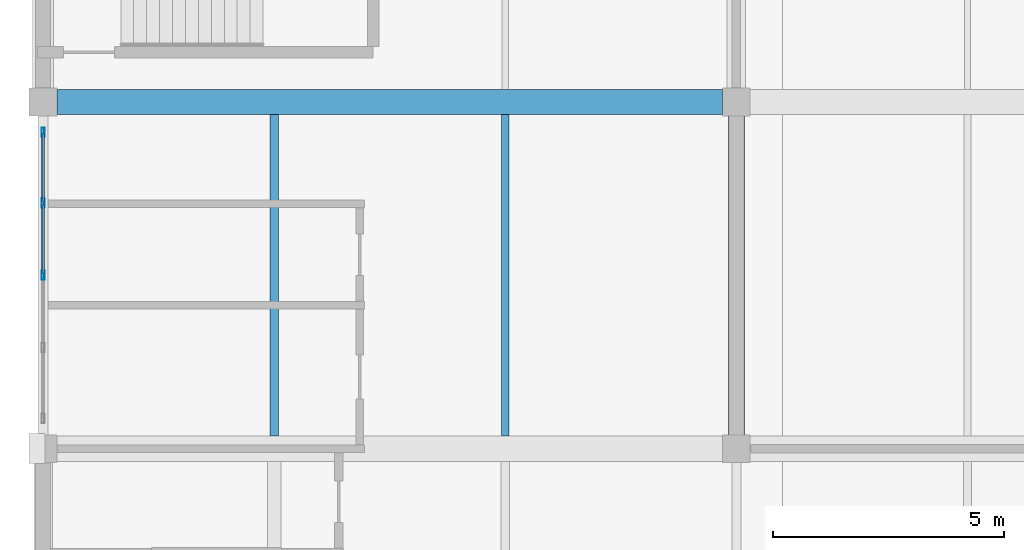
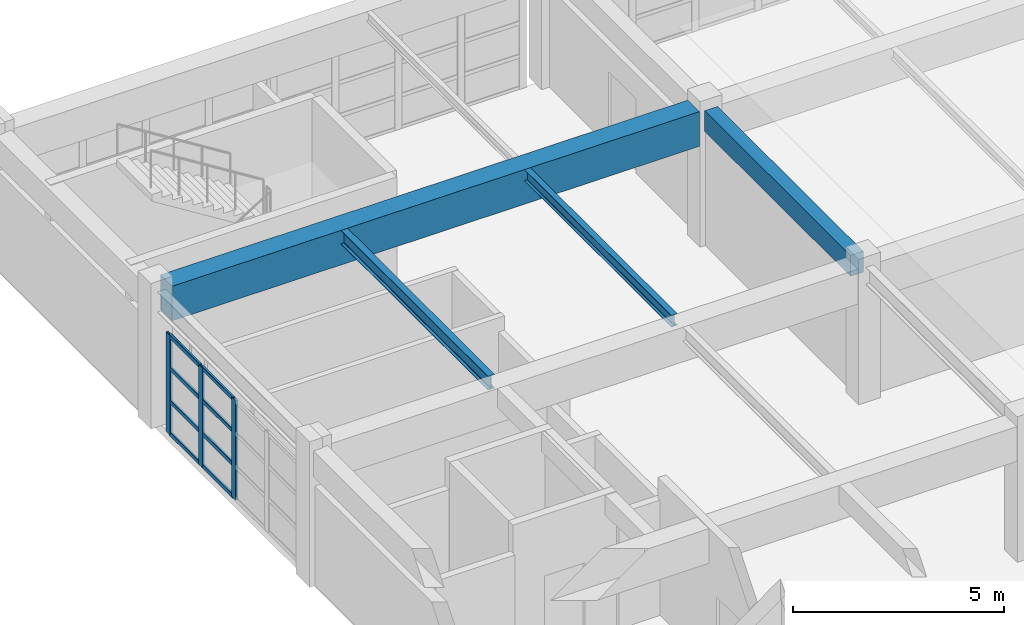
# One storey, part 17 of 124: 11 members, 4 beams, 1 element without a shape of its own.
"""IFC4 building model written with IfcOpenShell, lengths in metres."""

from ifc_helpers import new_model, si_unit, direction, frame, origin, origin_2d, place, context, subcontext, project, spatial, rectangle, hollow_rectangle, i_section, extrude, material, material_profile, profile_set, type_object, element, aggregate, save


model = new_model("IFC4")

# Units and contexts
model_context = context("Model", 3, precision=1e-05, world=origin(), true_north=direction((0.0, 1.0)))
body_context = subcontext(model_context, "Body", "Model", "MODEL_VIEW")
ifc_project = project(units=[si_unit("LENGTHUNIT", "METRE"), si_unit("AREAUNIT", "SQUARE_METRE"), si_unit("VOLUMEUNIT", "CUBIC_METRE"), si_unit("PLANEANGLEUNIT", "RADIAN"), si_unit("MASSUNIT", "GRAM", prefix="KILO")], contexts=[model_context])

# Site, building, storey
site_placement = place(None, origin())
site = spatial("IfcSite", under=ifc_project, at=site_placement, CompositionType="ELEMENT")
building_placement = place(site_placement, origin())
building = spatial("IfcBuilding", under=site, at=building_placement, Name="Qasida Concert Hall", CompositionType="ELEMENT")
storey_placement = place(building_placement, frame((0.0, 0.0, 9.0)))
storey = spatial("IfcBuildingStorey", under=building, at=storey_placement, Name="L02", CompositionType="ELEMENT", Elevation=9.0)

# Beams
ifc_material_1 = material(Name="Concrete C40/50", Category="concrete")
ifc_material_profile_1 = material_profile(ifc_material_1, rectangle(XDim=0.35009765625, YDim=0.60009765625, at=origin_2d()), Name="RC 350x600")
ifc_profile_set_1 = profile_set([ifc_material_profile_1], Name="Concrete C40/50")
beam_type_1 = type_object("IfcBeamType", Name="BM-B2", PredefinedType="BEAM", material=ifc_profile_set_1)
beam_1_placement = place(storey_placement, frame((15.0, 37.800048828125, 3.60009765625), z_axis=(0.0, 1.0, 0.0), x_axis=(-1.0, 0.0, 0.0)))
element("IfcBeam", 1, at=beam_1_placement, inside=storey, type_object=beam_type_1, Name="L02 girder 1305", PredefinedType="BEAM", context=body_context, shape_type="SweptSolid", body=[
    extrude(rectangle(XDim=0.35009765625, YDim=0.60009765625, at=origin_2d()), origin(), (0.0, 0.0, 1.0), 6.89990234375),
])
ifc_material_profile_2 = material_profile(ifc_material_1, rectangle(XDim=0.550048828125, YDim=1.0, at=origin_2d()), Name="RC 550x1000")
ifc_profile_set_2 = profile_set([ifc_material_profile_2], Name="Concrete C40/50")
beam_type_2 = type_object("IfcBeamType", Name="BM-G3", PredefinedType="USERDEFINED", material=ifc_profile_set_2)
beam_2_placement = place(storey_placement, frame((0.300048828125, 45.0, 3.39990234375), z_axis=(1.0, 0.0, 0.0), x_axis=(0.0, 1.0, 0.0)))
element("IfcBeam", 2, at=beam_2_placement, inside=storey, type_object=beam_type_2, Name="Primary girder 1287", ObjectType="GIRDER", PredefinedType="USERDEFINED", context=body_context, shape_type="SweptSolid", body=[
    extrude(rectangle(XDim=0.550048828125, YDim=1.0, at=origin_2d()), origin(), (0.0, 0.0, 1.0), 14.39990234375),
])
ifc_material_2 = material(Name="Steel S355J2", Category="steel")
ifc_material_profile_3 = material_profile(ifc_material_2, i_section(OverallWidth=0.179931640625, OverallDepth=0.39990234375, WebThickness=0.008544921875, FlangeThickness=0.013427734375, FilletRadius=0.02099609375, at=origin_2d()), Name="IPE 400")
ifc_profile_set_3 = profile_set([ifc_material_profile_3], Name="Steel S355J2")
beam_type_3 = type_object("IfcBeamType", Name="BM-J3", PredefinedType="JOIST", material=ifc_profile_set_3)
beam_3_placement = place(storey_placement, frame((5.0, 37.77490234375, 3.699951171875), z_axis=(0.0, 1.0, 0.0), x_axis=(-1.0, 0.0, 0.0)))
element("IfcBeam", 3, at=beam_3_placement, inside=storey, type_object=beam_type_3, Name="L02 secondary joist 1330", PredefinedType="JOIST", context=body_context, shape_type="SweptSolid", body=[
    extrude(i_section(OverallWidth=0.179931640625, OverallDepth=0.39990234375, WebThickness=0.008544921875, FlangeThickness=0.013427734375, FilletRadius=0.02099609375, at=origin_2d()), origin(), (0.0, 0.0, 1.0), 6.9501953125),
])
ifc_material_profile_4 = material_profile(ifc_material_2, i_section(OverallWidth=0.159912109375, OverallDepth=0.330078125, WebThickness=0.007568359375, FlangeThickness=0.011474609375, FilletRadius=0.01806640625, at=origin_2d()), Name="IPE 330")
ifc_profile_set_4 = profile_set([ifc_material_profile_4], Name="Steel S355J2")
beam_type_4 = type_object("IfcBeamType", Name="BM-J5", PredefinedType="JOIST", material=ifc_profile_set_4)
beam_4_placement = place(storey_placement, frame((10.0, 37.77490234375, 3.735107421875), z_axis=(0.0, 1.0, 0.0), x_axis=(-1.0, 0.0, 0.0)))
element("IfcBeam", 4, at=beam_4_placement, inside=storey, type_object=beam_type_4, Name="L02 secondary joist 1331", PredefinedType="JOIST", context=body_context, shape_type="SweptSolid", body=[
    extrude(i_section(OverallWidth=0.159912109375, OverallDepth=0.330078125, WebThickness=0.007568359375, FlangeThickness=0.011474609375, FilletRadius=0.01806640625, at=origin_2d()), origin(), (0.0, 0.0, 1.0), 6.9501953125),
])

# Curtain wall, members
ifc_material_3 = material(Name="Architectural bronze-anodized aluminium and low-E glass", Category="aluminium")
curtain_wall_type = type_object("IfcCurtainWallType", Name="CW-08", PredefinedType="NOTDEFINED", material=ifc_material_3)
curtain_wall_placement = place(storey_placement, origin())
curtain_wall = element("IfcCurtainWall", 5, at=curtain_wall_placement, inside=storey, type_object=curtain_wall_type, Name="L02 curtain wall CW-08 0114", PredefinedType="NOTDEFINED")
ifc_material_4 = material(Name="Architectural bronze-anodized aluminium EN AW-6063", Category="aluminium")
ifc_material_profile_5 = material_profile(ifc_material_4, hollow_rectangle(XDim=0.06494140625, YDim=0.199951171875, WallThickness=0.0048828125, InnerFilletRadius=0.0048828125, OuterFilletRadius=0.010009765625, at=origin_2d()), Name="CWM 200x65x5")
ifc_profile_set_5 = profile_set([ifc_material_profile_5], Name="Architectural bronze-anodized aluminium EN AW-6063")
member_type_1 = type_object("IfcMemberType", Name="MB-CWM-2", PredefinedType="MULLION", material=ifc_profile_set_5)
member_1_placement = place(storey_placement, frame((0.0, 41.25, 0.0), z_axis=(0.0, 0.0, 1.0), x_axis=(-1.0, 0.0, 0.0)))
member_1 = element("IfcMember", 6, at=member_1_placement, type_object=member_type_1, Name="CW-08 mullion 3", PredefinedType="MULLION", context=body_context, shape_type="SweptSolid", body=[
    extrude(hollow_rectangle(XDim=0.06494140625, YDim=0.199951171875, WallThickness=0.0048828125, InnerFilletRadius=0.0048828125, OuterFilletRadius=0.010009765625, at=origin_2d()), origin(), (0.0, 0.0, 1.0), 2.8701171875),
])
member_2_placement = place(storey_placement, frame((0.0, 42.81494140625, 0.0), z_axis=(0.0, 0.0, 1.0), x_axis=(-1.0, 0.0, 0.0)))
member_2 = element("IfcMember", 7, at=member_2_placement, type_object=member_type_1, Name="CW-08 mullion 4", PredefinedType="MULLION", context=body_context, shape_type="SweptSolid", body=[
    extrude(hollow_rectangle(XDim=0.06494140625, YDim=0.199951171875, WallThickness=0.0048828125, InnerFilletRadius=0.0048828125, OuterFilletRadius=0.010009765625, at=origin_2d()), origin(), (0.0, 0.0, 1.0), 2.8701171875),
])
member_3_placement = place(storey_placement, frame((0.0, 44.347412109375, 0.0), z_axis=(0.0, 0.0, 1.0), x_axis=(-1.0, 0.0, 0.0)))
member_3 = element("IfcMember", 8, at=member_3_placement, type_object=member_type_1, Name="CW-08 mullion 5", PredefinedType="MULLION", context=body_context, shape_type="SweptSolid", body=[
    extrude(hollow_rectangle(XDim=0.06494140625, YDim=0.199951171875, WallThickness=0.0048828125, InnerFilletRadius=0.0048828125, OuterFilletRadius=0.010009765625, at=origin_2d()), origin(), (0.0, 0.0, 1.0), 2.8701171875),
])
ifc_material_profile_6 = material_profile(ifc_material_4, hollow_rectangle(XDim=0.06005859375, YDim=0.1201171875, WallThickness=0.00390625, InnerFilletRadius=0.00390625, OuterFilletRadius=0.008056640625, at=origin_2d()), Name="CWT 120x60x4")
ifc_profile_set_6 = profile_set([ifc_material_profile_6], Name="Architectural bronze-anodized aluminium EN AW-6063")
member_type_2 = type_object("IfcMemberType", Name="MB-CWT-2", PredefinedType="USERDEFINED", material=ifc_profile_set_6)
member_4_placement = place(storey_placement, frame((0.0, 41.282470703125, 0.030029296875), z_axis=(0.0, 1.0, 0.0), x_axis=(-1.0, 0.0, 0.0)))
member_4 = element("IfcMember", 9, at=member_4_placement, type_object=member_type_2, Name="CW-08 transom 3.1", ObjectType="TRANSOM", PredefinedType="USERDEFINED", context=body_context, shape_type="SweptSolid", body=[
    extrude(hollow_rectangle(XDim=0.06005859375, YDim=0.1201171875, WallThickness=0.00390625, InnerFilletRadius=0.00390625, OuterFilletRadius=0.008056640625, at=origin_2d()), origin(), (0.0, 0.0, 1.0), 1.5),
])
member_5_placement = place(storey_placement, frame((0.0, 41.282470703125, 0.956787109375), z_axis=(0.0, 1.0, 0.0), x_axis=(-1.0, 0.0, 0.0)))
member_5 = element("IfcMember", 10, at=member_5_placement, type_object=member_type_2, Name="CW-08 transom 3.2", ObjectType="TRANSOM", PredefinedType="USERDEFINED", context=body_context, shape_type="SweptSolid", body=[
    extrude(hollow_rectangle(XDim=0.06005859375, YDim=0.1201171875, WallThickness=0.00390625, InnerFilletRadius=0.00390625, OuterFilletRadius=0.008056640625, at=origin_2d()), origin(), (0.0, 0.0, 1.0), 1.5),
])
member_6_placement = place(storey_placement, frame((0.0, 41.282470703125, 1.913330078125), z_axis=(0.0, 1.0, 0.0), x_axis=(-1.0, 0.0, 0.0)))
member_6 = element("IfcMember", 11, at=member_6_placement, type_object=member_type_2, Name="CW-08 transom 3.3", ObjectType="TRANSOM", PredefinedType="USERDEFINED", context=body_context, shape_type="SweptSolid", body=[
    extrude(hollow_rectangle(XDim=0.06005859375, YDim=0.1201171875, WallThickness=0.00390625, InnerFilletRadius=0.00390625, OuterFilletRadius=0.008056640625, at=origin_2d()), origin(), (0.0, 0.0, 1.0), 1.5),
])
member_7_placement = place(storey_placement, frame((0.0, 41.282470703125, 2.840087890625), z_axis=(0.0, 1.0, 0.0), x_axis=(-1.0, 0.0, 0.0)))
member_7 = element("IfcMember", 12, at=member_7_placement, type_object=member_type_2, Name="CW-08 transom 3.4", ObjectType="TRANSOM", PredefinedType="USERDEFINED", context=body_context, shape_type="SweptSolid", body=[
    extrude(hollow_rectangle(XDim=0.06005859375, YDim=0.1201171875, WallThickness=0.00390625, InnerFilletRadius=0.00390625, OuterFilletRadius=0.008056640625, at=origin_2d()), origin(), (0.0, 0.0, 1.0), 1.5),
])
member_8_placement = place(storey_placement, frame((0.0, 42.847412109375, 0.030029296875), z_axis=(0.0, 1.0, 0.0), x_axis=(-1.0, 0.0, 0.0)))
member_8 = element("IfcMember", 13, at=member_8_placement, type_object=member_type_2, Name="CW-08 transom 4.1", ObjectType="TRANSOM", PredefinedType="USERDEFINED", context=body_context, shape_type="SweptSolid", body=[
    extrude(hollow_rectangle(XDim=0.06005859375, YDim=0.1201171875, WallThickness=0.00390625, InnerFilletRadius=0.00390625, OuterFilletRadius=0.008056640625, at=origin_2d()), origin(), (0.0, 0.0, 1.0), 1.467529296875),
])
member_9_placement = place(storey_placement, frame((0.0, 42.847412109375, 0.956787109375), z_axis=(0.0, 1.0, 0.0), x_axis=(-1.0, 0.0, 0.0)))
member_9 = element("IfcMember", 14, at=member_9_placement, type_object=member_type_2, Name="CW-08 transom 4.2", ObjectType="TRANSOM", PredefinedType="USERDEFINED", context=body_context, shape_type="SweptSolid", body=[
    extrude(hollow_rectangle(XDim=0.06005859375, YDim=0.1201171875, WallThickness=0.00390625, InnerFilletRadius=0.00390625, OuterFilletRadius=0.008056640625, at=origin_2d()), origin(), (0.0, 0.0, 1.0), 1.467529296875),
])
member_10_placement = place(storey_placement, frame((0.0, 42.847412109375, 1.913330078125), z_axis=(0.0, 1.0, 0.0), x_axis=(-1.0, 0.0, 0.0)))
member_10 = element("IfcMember", 15, at=member_10_placement, type_object=member_type_2, Name="CW-08 transom 4.3", ObjectType="TRANSOM", PredefinedType="USERDEFINED", context=body_context, shape_type="SweptSolid", body=[
    extrude(hollow_rectangle(XDim=0.06005859375, YDim=0.1201171875, WallThickness=0.00390625, InnerFilletRadius=0.00390625, OuterFilletRadius=0.008056640625, at=origin_2d()), origin(), (0.0, 0.0, 1.0), 1.467529296875),
])
member_11_placement = place(storey_placement, frame((0.0, 42.847412109375, 2.840087890625), z_axis=(0.0, 1.0, 0.0), x_axis=(-1.0, 0.0, 0.0)))
member_11 = element("IfcMember", 16, at=member_11_placement, type_object=member_type_2, Name="CW-08 transom 4.4", ObjectType="TRANSOM", PredefinedType="USERDEFINED", context=body_context, shape_type="SweptSolid", body=[
    extrude(hollow_rectangle(XDim=0.06005859375, YDim=0.1201171875, WallThickness=0.00390625, InnerFilletRadius=0.00390625, OuterFilletRadius=0.008056640625, at=origin_2d()), origin(), (0.0, 0.0, 1.0), 1.467529296875),
])
aggregate(curtain_wall, [member_1, member_2, member_3, member_4, member_5, member_6, member_7, member_8, member_9, member_10, member_11])

save(model, "model.ifc")
